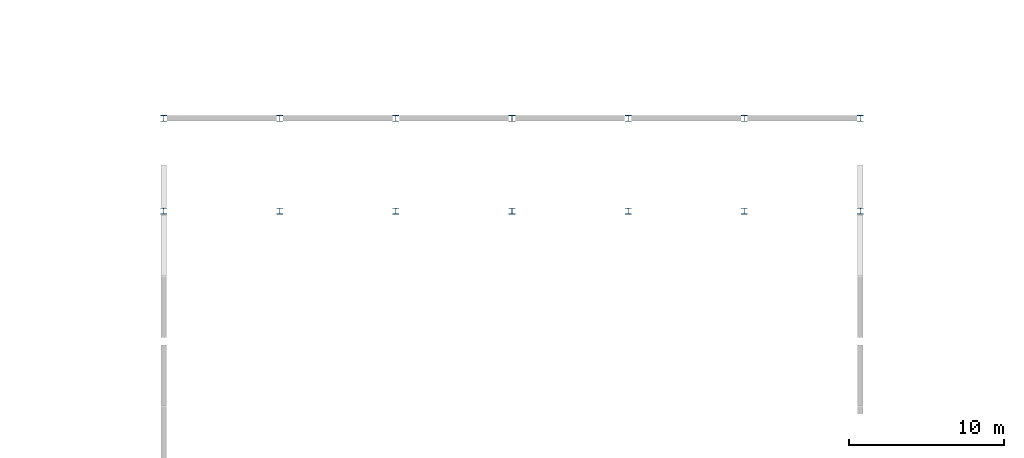
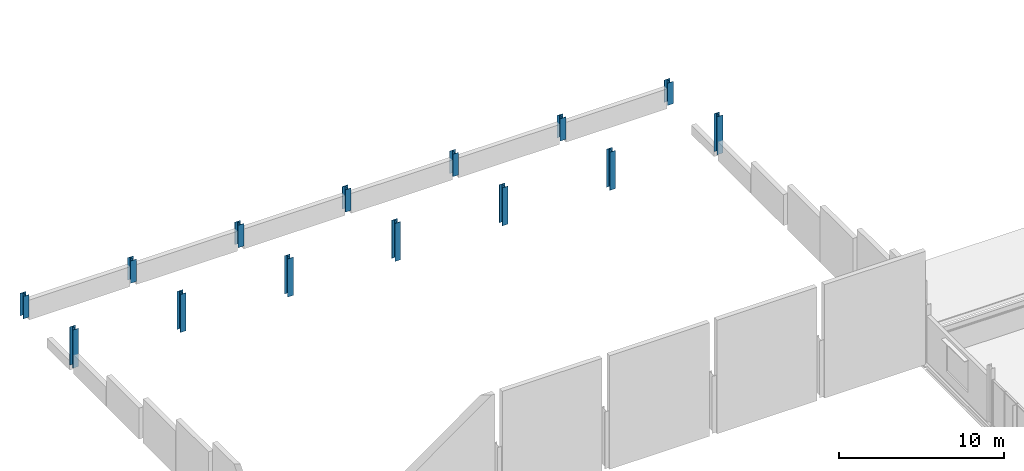
# One storey, part 7 of 45: 14 columns.
"""IFC4 building model written with IfcOpenShell, lengths in metres."""

from ifc_helpers import new_model, si_unit, direction, frame, origin, origin_2d, place, context, subcontext, project, spatial, i_section, extrude, material, material_profile, profile_set, type_object, element, save


model = new_model("IFC4")

# Units and contexts
model_context = context("Model", 3, precision=1e-05, world=origin(), true_north=direction((0.0, 1.0)))
body_context = subcontext(model_context, "Body", "Model", "MODEL_VIEW")
ifc_project = project(units=[si_unit("LENGTHUNIT", "METRE"), si_unit("AREAUNIT", "SQUARE_METRE"), si_unit("VOLUMEUNIT", "CUBIC_METRE"), si_unit("PLANEANGLEUNIT", "RADIAN"), si_unit("MASSUNIT", "GRAM", prefix="KILO")], contexts=[model_context])

# Site, building, storey
site_placement = place(None, origin())
site = spatial("IfcSite", under=ifc_project, at=site_placement, CompositionType="ELEMENT")
building_placement = place(site_placement, origin())
building = spatial("IfcBuilding", under=site, at=building_placement, Name="Yukiwa Park Conservatory and Herbarium", CompositionType="ELEMENT")
storey_placement = place(building_placement, frame((0.0, 0.0, 9.0)))
storey = spatial("IfcBuildingStorey", under=building, at=storey_placement, Name="L02", CompositionType="ELEMENT", Elevation=9.0)

# Columns
ifc_material_1 = material(Name="Steel Q355D", Category="steel")
ifc_material_profile_1 = material_profile(ifc_material_1, i_section(OverallWidth=0.39990234375, OverallDepth=0.39990234375, WebThickness=0.012939453125, FlangeThickness=0.02099609375, FilletRadius=0.02197265625, at=origin_2d()), Name="HW 400x400x13x21")
ifc_profile_set_1 = profile_set([ifc_material_profile_1], Name="Steel Q355D")
column_type_1 = type_object("IfcColumnType", Name="COL-TW-HW400", PredefinedType="COLUMN", material=ifc_profile_set_1)
for number, where, z_axis, x_axis, name in (
    (1, (22.5, 103.199951171875, 0.0), (0.0, 0.0, 1.0), (1.0, 0.0, 0.0), "Auditorium proscenium truss bearing column 2"),
    (2, (30.0, 103.199951171875, 0.0), (0.0, 0.0, 1.0), (1.0, 0.0, 0.0), "Auditorium proscenium truss bearing column 3"),
    (3, (37.5, 103.199951171875, 0.0), (0.0, 0.0, 1.0), (1.0, 0.0, 0.0), "Auditorium proscenium truss bearing column 4"),
    (4, (45.0, 103.199951171875, 0.0), (0.0, 0.0, 1.0), (1.0, 0.0, 0.0), "Auditorium proscenium truss bearing column 5"),
    (5, (52.5, 103.199951171875, 0.0), (0.0, 0.0, 1.0), (1.0, 0.0, 0.0), "Auditorium proscenium truss bearing column 6"),
):
    element("IfcColumn", number, at=place(storey_placement, frame(where, z_axis=z_axis, x_axis=x_axis)), inside=storey, type_object=column_type_1, Name=name, PredefinedType="COLUMN", context=body_context, shape_type="SweptSolid", body=[
        extrude(i_section(OverallWidth=0.39990234375, OverallDepth=0.39990234375, WebThickness=0.012939453125, FlangeThickness=0.02099609375, FilletRadius=0.02197265625, at=origin_2d()), origin(), (0.0, 0.0, 1.0), 2.810302734375),
    ])
ifc_material_2 = material(Name="Steel Q355D", Category="steel")
ifc_material_profile_2 = material_profile(ifc_material_2, i_section(OverallWidth=0.39990234375, OverallDepth=0.39990234375, WebThickness=0.012939453125, FlangeThickness=0.02099609375, FilletRadius=0.02197265625, at=origin_2d()), Name="HW 400x400x13x21")
ifc_profile_set_2 = profile_set([ifc_material_profile_2], Name="Steel Q355D")
column_type_2 = type_object("IfcColumnType", Name="COL-TW-HW400-EXT", PredefinedType="COLUMN", material=ifc_profile_set_2)
column_1_placement = place(storey_placement, frame((15.0, 103.199951171875, 0.0), z_axis=(0.0, 0.0, 1.0), x_axis=(1.0, 0.0, 0.0)))
element("IfcColumn", 6, at=column_1_placement, inside=storey, type_object=column_type_2, Name="Auditorium proscenium truss bearing column 1", PredefinedType="COLUMN", context=body_context, shape_type="SweptSolid", body=[
    extrude(i_section(OverallWidth=0.39990234375, OverallDepth=0.39990234375, WebThickness=0.012939453125, FlangeThickness=0.02099609375, FilletRadius=0.02197265625, at=origin_2d()), origin(), (0.0, 0.0, 1.0), 2.810302734375),
])
for number, where, z_axis, x_axis, name in (
    (7, (15.0, 109.199951171875, 0.0), (0.0, 0.0, 1.0), (1.0, 0.0, 0.0), "Auditorium north eave column 1"),
    (8, (22.5, 109.199951171875, 0.0), (0.0, 0.0, 1.0), (1.0, 0.0, 0.0), "Auditorium north eave column 2"),
    (9, (30.0, 109.199951171875, 0.0), (0.0, 0.0, 1.0), (1.0, 0.0, 0.0), "Auditorium north eave column 3"),
    (10, (37.5, 109.199951171875, 0.0), (0.0, 0.0, 1.0), (1.0, 0.0, 0.0), "Auditorium north eave column 4"),
    (11, (45.0, 109.199951171875, 0.0), (0.0, 0.0, 1.0), (1.0, 0.0, 0.0), "Auditorium north eave column 5"),
    (12, (52.5, 109.199951171875, 0.0), (0.0, 0.0, 1.0), (1.0, 0.0, 0.0), "Auditorium north eave column 6"),
):
    element("IfcColumn", number, at=place(storey_placement, frame(where, z_axis=z_axis, x_axis=x_axis)), inside=storey, type_object=column_type_2, Name=name, PredefinedType="COLUMN", context=body_context, shape_type="SweptSolid", body=[
        extrude(i_section(OverallWidth=0.39990234375, OverallDepth=0.39990234375, WebThickness=0.012939453125, FlangeThickness=0.02099609375, FilletRadius=0.02197265625, at=origin_2d()), origin(), (0.0, 0.0, 1.0), 1.655029296875),
    ])
column_2_placement = place(storey_placement, frame((60.0, 103.199951171875, 0.0), z_axis=(0.0, 0.0, 1.0), x_axis=(1.0, 0.0, 0.0)))
element("IfcColumn", 13, at=column_2_placement, inside=storey, type_object=column_type_2, Name="Auditorium proscenium truss bearing column 7", PredefinedType="COLUMN", context=body_context, shape_type="SweptSolid", body=[
    extrude(i_section(OverallWidth=0.39990234375, OverallDepth=0.39990234375, WebThickness=0.012939453125, FlangeThickness=0.02099609375, FilletRadius=0.02197265625, at=origin_2d()), origin(), (0.0, 0.0, 1.0), 2.810302734375),
])
column_3_placement = place(storey_placement, frame((60.0, 109.199951171875, 0.0), z_axis=(0.0, 0.0, 1.0), x_axis=(1.0, 0.0, 0.0)))
element("IfcColumn", 14, at=column_3_placement, inside=storey, type_object=column_type_2, Name="Auditorium north eave column 7", PredefinedType="COLUMN", context=body_context, shape_type="SweptSolid", body=[
    extrude(i_section(OverallWidth=0.39990234375, OverallDepth=0.39990234375, WebThickness=0.012939453125, FlangeThickness=0.02099609375, FilletRadius=0.02197265625, at=origin_2d()), origin(), (0.0, 0.0, 1.0), 1.655029296875),
])

save(model, "model.ifc")
